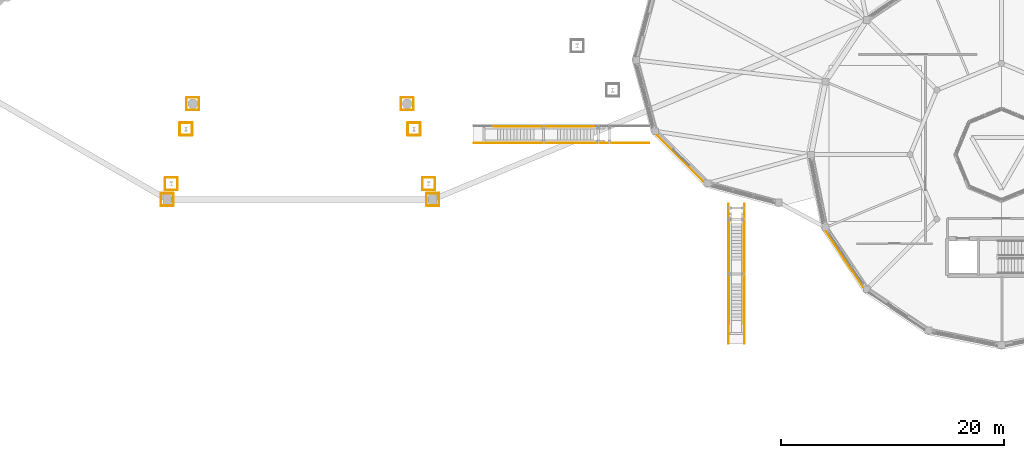
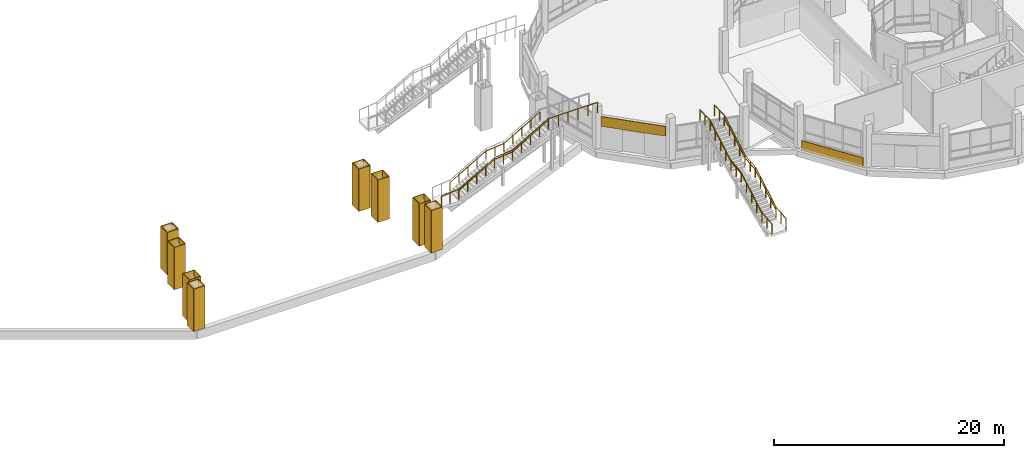
# One storey, part 119 of 129: 34 coverings, 7 railings.
"""IFC4 building model written with IfcOpenShell, lengths in metres."""

from ifc_helpers import new_model, si_unit, direction, frame, frame_2d, origin, origin_2d, place, context, subcontext, project, spatial, rectangle, circle, extrude, material, layer, layer_set, type_object, element, save


model = new_model("IFC4")

# Units and contexts
model_context = context("Model", 3, precision=1e-05, world=origin(), true_north=direction((0.0, 1.0)))
body_context = subcontext(model_context, "Body", "Model", "MODEL_VIEW")
ifc_project = project(units=[si_unit("LENGTHUNIT", "METRE"), si_unit("AREAUNIT", "SQUARE_METRE"), si_unit("VOLUMEUNIT", "CUBIC_METRE"), si_unit("PLANEANGLEUNIT", "RADIAN"), si_unit("MASSUNIT", "GRAM", prefix="KILO")], contexts=[model_context])

# Site, building, storey
site_placement = place(None, origin())
site = spatial("IfcSite", under=ifc_project, at=site_placement, CompositionType="ELEMENT")
building_placement = place(site_placement, origin())
building = spatial("IfcBuilding", under=site, at=building_placement, Name="Vespera Passage Community Centre", CompositionType="ELEMENT")
storey_placement = place(building_placement, origin())
storey = spatial("IfcBuildingStorey", under=building, at=storey_placement, Name="L00", CompositionType="ELEMENT", Elevation=0.0)

# Coverings
ifc_material_1 = material(Name="Precast concrete f'c 40 MPa", Category="concrete")
ifc_layer = layer(ifc_material_1, 0.06005859375)
ifc_layer_set = layer_set([ifc_layer], Name="Precast concrete f'c 40 MPa")
covering_type = type_object("IfcCoveringType", Name="COV-CLAD-60E", PredefinedType="CLADDING", material=ifc_layer_set)
covering_1_placement = place(storey_placement, frame((65.50830078125, 20.410888671875, 0.0), z_axis=(0.0, 0.0, 1.0), x_axis=(1.0, 0.0, 0.0)))
element("IfcCovering", 1, at=covering_1_placement, inside=storey, type_object=covering_type, Name="Pylon 17.0 O L00 White Architectural Casing 1", PredefinedType="CLADDING", context=body_context, shape_type="SweptSolid", body=[
    extrude(rectangle(XDim=1.1201171875, YDim=0.06005859375, at=frame_2d((0.56005859375, 0.0))), origin(), (0.0, 0.0, 1.0), 4.5),
])
covering_2_placement = place(storey_placement, frame((66.62841796875, 20.410888671875, 0.0), z_axis=(0.0, 0.0, 1.0), x_axis=(0.0, 1.0, 0.0)))
element("IfcCovering", 2, at=covering_2_placement, inside=storey, type_object=covering_type, Name="Pylon 17.0 O L00 White Architectural Casing 2", PredefinedType="CLADDING", context=body_context, shape_type="SweptSolid", body=[
    extrude(rectangle(XDim=1.119873046875, YDim=0.06005859375, at=frame_2d((0.56005859375, 0.0))), origin(), (0.0, 0.0, 1.0), 4.5),
])
covering_3_placement = place(storey_placement, frame((66.62841796875, 21.53076171875, 0.0), z_axis=(0.0, 0.0, 1.0), x_axis=(-1.0, 0.0, 0.0)))
element("IfcCovering", 3, at=covering_3_placement, inside=storey, type_object=covering_type, Name="Pylon 17.0 O L00 White Architectural Casing 3", PredefinedType="CLADDING", context=body_context, shape_type="SweptSolid", body=[
    extrude(rectangle(XDim=1.1201171875, YDim=0.06005859375, at=frame_2d((0.56005859375, 0.0))), origin(), (0.0, 0.0, 1.0), 4.5),
])
for number, where, z_axis, x_axis, name in (
    (4, (65.50830078125, 21.53076171875, 0.0), (0.0, 0.0, 1.0), (0.0, -1.0, 0.0), "Pylon 17.0 O L00 White Architectural Casing 4"),
    (5, (67.81201171875, 29.007568359375, 0.0), (0.0, 0.0, 1.0), (1.0, 0.0, 0.0), "Pylon 17.0 I L00 White Architectural Casing 1"),
):
    element("IfcCovering", number, at=place(storey_placement, frame(where, z_axis=z_axis, x_axis=x_axis)), inside=storey, type_object=covering_type, Name=name, PredefinedType="CLADDING", context=body_context, shape_type="SweptSolid", body=[
        extrude(rectangle(XDim=1.119873046875, YDim=0.06005859375, at=frame_2d((0.56005859375, 0.0))), origin(), (0.0, 0.0, 1.0), 4.5),
    ])
covering_4_placement = place(storey_placement, frame((68.931884765625, 29.007568359375, 0.0), z_axis=(0.0, 0.0, 1.0), x_axis=(0.0, 1.0, 0.0)))
element("IfcCovering", 6, at=covering_4_placement, inside=storey, type_object=covering_type, Name="Pylon 17.0 I L00 White Architectural Casing 2", PredefinedType="CLADDING", context=body_context, shape_type="SweptSolid", body=[
    extrude(rectangle(XDim=1.1201171875, YDim=0.06005859375, at=frame_2d((0.56005859375, 0.0))), origin(), (0.0, 0.0, 1.0), 4.5),
])
covering_5_placement = place(storey_placement, frame((68.931884765625, 30.127685546875, 0.0), z_axis=(0.0, 0.0, 1.0), x_axis=(-1.0, 0.0, 0.0)))
element("IfcCovering", 7, at=covering_5_placement, inside=storey, type_object=covering_type, Name="Pylon 17.0 I L00 White Architectural Casing 3", PredefinedType="CLADDING", context=body_context, shape_type="SweptSolid", body=[
    extrude(rectangle(XDim=1.119873046875, YDim=0.06005859375, at=frame_2d((0.56005859375, 0.0))), origin(), (0.0, 0.0, 1.0), 4.5),
])
covering_6_placement = place(storey_placement, frame((67.81201171875, 30.127685546875, 0.0), z_axis=(0.0, 0.0, 1.0), x_axis=(0.0, -1.0, 0.0)))
element("IfcCovering", 8, at=covering_6_placement, inside=storey, type_object=covering_type, Name="Pylon 17.0 I L00 White Architectural Casing 4", PredefinedType="CLADDING", context=body_context, shape_type="SweptSolid", body=[
    extrude(rectangle(XDim=1.1201171875, YDim=0.06005859375, at=frame_2d((0.56005859375, 0.0))), origin(), (0.0, 0.0, 1.0), 4.5),
])
covering_7_placement = place(storey_placement, frame((65.8837890625, 21.811279296875, 0.0), z_axis=(0.0, 0.0, 1.0), x_axis=(1.0, 0.0, 0.0)))
element("IfcCovering", 9, at=covering_7_placement, inside=storey, type_object=covering_type, Name="Pylon 17.0 TO L00 White Architectural Casing 1", PredefinedType="CLADDING", context=body_context, shape_type="SweptSolid", body=[
    extrude(rectangle(XDim=1.119873046875, YDim=0.06005859375, at=frame_2d((0.56005859375, 0.0))), origin(), (0.0, 0.0, 1.0), 4.5),
])
covering_8_placement = place(storey_placement, frame((67.003662109375, 21.811279296875, 0.0), z_axis=(0.0, 0.0, 1.0), x_axis=(0.0, 1.0, 0.0)))
element("IfcCovering", 10, at=covering_8_placement, inside=storey, type_object=covering_type, Name="Pylon 17.0 TO L00 White Architectural Casing 2", PredefinedType="CLADDING", context=body_context, shape_type="SweptSolid", body=[
    extrude(rectangle(XDim=1.1201171875, YDim=0.06005859375, at=frame_2d((0.56005859375, 0.0))), origin(), (0.0, 0.0, 1.0), 4.5),
])
covering_9_placement = place(storey_placement, frame((67.003662109375, 22.931396484375, 0.0), z_axis=(0.0, 0.0, 1.0), x_axis=(-1.0, 0.0, 0.0)))
element("IfcCovering", 11, at=covering_9_placement, inside=storey, type_object=covering_type, Name="Pylon 17.0 TO L00 White Architectural Casing 3", PredefinedType="CLADDING", context=body_context, shape_type="SweptSolid", body=[
    extrude(rectangle(XDim=1.119873046875, YDim=0.06005859375, at=frame_2d((0.56005859375, 0.0))), origin(), (0.0, 0.0, 1.0), 4.5),
])
for number, where, z_axis, x_axis, name in (
    (12, (65.8837890625, 22.931396484375, 0.0), (0.0, 0.0, 1.0), (0.0, -1.0, 0.0), "Pylon 17.0 TO L00 White Architectural Casing 4"),
    (13, (67.20361328125, 26.737548828125, 0.0), (0.0, 0.0, 1.0), (1.0, 0.0, 0.0), "Pylon 17.0 TI L00 White Architectural Casing 1"),
    (14, (68.32373046875, 26.737548828125, 0.0), (0.0, 0.0, 1.0), (0.0, 1.0, 0.0), "Pylon 17.0 TI L00 White Architectural Casing 2"),
    (15, (68.32373046875, 27.857666015625, 0.0), (0.0, 0.0, 1.0), (-1.0, 0.0, 0.0), "Pylon 17.0 TI L00 White Architectural Casing 3"),
    (16, (67.20361328125, 27.857666015625, 0.0), (0.0, 0.0, 1.0), (0.0, -1.0, 0.0), "Pylon 17.0 TI L00 White Architectural Casing 4"),
    (17, (89.37158203125, 20.410888671875, 0.0), (0.0, 0.0, 1.0), (1.0, 0.0, 0.0), "Pylon 19.0 O L00 White Architectural Casing 1"),
):
    element("IfcCovering", number, at=place(storey_placement, frame(where, z_axis=z_axis, x_axis=x_axis)), inside=storey, type_object=covering_type, Name=name, PredefinedType="CLADDING", context=body_context, shape_type="SweptSolid", body=[
        extrude(rectangle(XDim=1.1201171875, YDim=0.06005859375, at=frame_2d((0.56005859375, 0.0))), origin(), (0.0, 0.0, 1.0), 4.5),
    ])
covering_10_placement = place(storey_placement, frame((90.49169921875, 20.410888671875, 0.0), z_axis=(0.0, 0.0, 1.0), x_axis=(0.0, 1.0, 0.0)))
element("IfcCovering", 18, at=covering_10_placement, inside=storey, type_object=covering_type, Name="Pylon 19.0 O L00 White Architectural Casing 2", PredefinedType="CLADDING", context=body_context, shape_type="SweptSolid", body=[
    extrude(rectangle(XDim=1.119873046875, YDim=0.06005859375, at=frame_2d((0.56005859375, 0.0))), origin(), (0.0, 0.0, 1.0), 4.5),
])
covering_11_placement = place(storey_placement, frame((90.49169921875, 21.53076171875, 0.0), z_axis=(0.0, 0.0, 1.0), x_axis=(-1.0, 0.0, 0.0)))
element("IfcCovering", 19, at=covering_11_placement, inside=storey, type_object=covering_type, Name="Pylon 19.0 O L00 White Architectural Casing 3", PredefinedType="CLADDING", context=body_context, shape_type="SweptSolid", body=[
    extrude(rectangle(XDim=1.1201171875, YDim=0.06005859375, at=frame_2d((0.56005859375, 0.0))), origin(), (0.0, 0.0, 1.0), 4.5),
])
for number, where, z_axis, x_axis, name in (
    (20, (89.37158203125, 21.53076171875, 0.0), (0.0, 0.0, 1.0), (0.0, -1.0, 0.0), "Pylon 19.0 O L00 White Architectural Casing 4"),
    (21, (87.068115234375, 29.007568359375, 0.0), (0.0, 0.0, 1.0), (1.0, 0.0, 0.0), "Pylon 19.0 I L00 White Architectural Casing 1"),
):
    element("IfcCovering", number, at=place(storey_placement, frame(where, z_axis=z_axis, x_axis=x_axis)), inside=storey, type_object=covering_type, Name=name, PredefinedType="CLADDING", context=body_context, shape_type="SweptSolid", body=[
        extrude(rectangle(XDim=1.119873046875, YDim=0.06005859375, at=frame_2d((0.56005859375, 0.0))), origin(), (0.0, 0.0, 1.0), 4.5),
    ])
covering_12_placement = place(storey_placement, frame((88.18798828125, 29.007568359375, 0.0), z_axis=(0.0, 0.0, 1.0), x_axis=(0.0, 1.0, 0.0)))
element("IfcCovering", 22, at=covering_12_placement, inside=storey, type_object=covering_type, Name="Pylon 19.0 I L00 White Architectural Casing 2", PredefinedType="CLADDING", context=body_context, shape_type="SweptSolid", body=[
    extrude(rectangle(XDim=1.1201171875, YDim=0.06005859375, at=frame_2d((0.56005859375, 0.0))), origin(), (0.0, 0.0, 1.0), 4.5),
])
covering_13_placement = place(storey_placement, frame((88.18798828125, 30.127685546875, 0.0), z_axis=(0.0, 0.0, 1.0), x_axis=(-1.0, 0.0, 0.0)))
element("IfcCovering", 23, at=covering_13_placement, inside=storey, type_object=covering_type, Name="Pylon 19.0 I L00 White Architectural Casing 3", PredefinedType="CLADDING", context=body_context, shape_type="SweptSolid", body=[
    extrude(rectangle(XDim=1.119873046875, YDim=0.06005859375, at=frame_2d((0.56005859375, 0.0))), origin(), (0.0, 0.0, 1.0), 4.5),
])
covering_14_placement = place(storey_placement, frame((87.068115234375, 30.127685546875, 0.0), z_axis=(0.0, 0.0, 1.0), x_axis=(0.0, -1.0, 0.0)))
element("IfcCovering", 24, at=covering_14_placement, inside=storey, type_object=covering_type, Name="Pylon 19.0 I L00 White Architectural Casing 4", PredefinedType="CLADDING", context=body_context, shape_type="SweptSolid", body=[
    extrude(rectangle(XDim=1.1201171875, YDim=0.06005859375, at=frame_2d((0.56005859375, 0.0))), origin(), (0.0, 0.0, 1.0), 4.5),
])
covering_15_placement = place(storey_placement, frame((88.996337890625, 21.811279296875, 0.0), z_axis=(0.0, 0.0, 1.0), x_axis=(1.0, 0.0, 0.0)))
element("IfcCovering", 25, at=covering_15_placement, inside=storey, type_object=covering_type, Name="Pylon 19.0 TO L00 White Architectural Casing 1", PredefinedType="CLADDING", context=body_context, shape_type="SweptSolid", body=[
    extrude(rectangle(XDim=1.119873046875, YDim=0.06005859375, at=frame_2d((0.56005859375, 0.0))), origin(), (0.0, 0.0, 1.0), 4.5),
])
covering_16_placement = place(storey_placement, frame((90.1162109375, 21.811279296875, 0.0), z_axis=(0.0, 0.0, 1.0), x_axis=(0.0, 1.0, 0.0)))
element("IfcCovering", 26, at=covering_16_placement, inside=storey, type_object=covering_type, Name="Pylon 19.0 TO L00 White Architectural Casing 2", PredefinedType="CLADDING", context=body_context, shape_type="SweptSolid", body=[
    extrude(rectangle(XDim=1.1201171875, YDim=0.06005859375, at=frame_2d((0.56005859375, 0.0))), origin(), (0.0, 0.0, 1.0), 4.5),
])
covering_17_placement = place(storey_placement, frame((90.1162109375, 22.931396484375, 0.0), z_axis=(0.0, 0.0, 1.0), x_axis=(-1.0, 0.0, 0.0)))
element("IfcCovering", 27, at=covering_17_placement, inside=storey, type_object=covering_type, Name="Pylon 19.0 TO L00 White Architectural Casing 3", PredefinedType="CLADDING", context=body_context, shape_type="SweptSolid", body=[
    extrude(rectangle(XDim=1.119873046875, YDim=0.06005859375, at=frame_2d((0.56005859375, 0.0))), origin(), (0.0, 0.0, 1.0), 4.5),
])
for number, where, z_axis, x_axis, name in (
    (28, (88.996337890625, 22.931396484375, 0.0), (0.0, 0.0, 1.0), (0.0, -1.0, 0.0), "Pylon 19.0 TO L00 White Architectural Casing 4"),
    (29, (87.67626953125, 26.737548828125, 0.0), (0.0, 0.0, 1.0), (1.0, 0.0, 0.0), "Pylon 19.0 TI L00 White Architectural Casing 1"),
    (30, (88.79638671875, 26.737548828125, 0.0), (0.0, 0.0, 1.0), (0.0, 1.0, 0.0), "Pylon 19.0 TI L00 White Architectural Casing 2"),
    (31, (88.79638671875, 27.857666015625, 0.0), (0.0, 0.0, 1.0), (-1.0, 0.0, 0.0), "Pylon 19.0 TI L00 White Architectural Casing 3"),
    (32, (87.67626953125, 27.857666015625, 0.0), (0.0, 0.0, 1.0), (0.0, -1.0, 0.0), "Pylon 19.0 TI L00 White Architectural Casing 4"),
):
    element("IfcCovering", number, at=place(storey_placement, frame(where, z_axis=z_axis, x_axis=x_axis)), inside=storey, type_object=covering_type, Name=name, PredefinedType="CLADDING", context=body_context, shape_type="SweptSolid", body=[
        extrude(rectangle(XDim=1.1201171875, YDim=0.06005859375, at=frame_2d((0.56005859375, 0.0))), origin(), (0.0, 0.0, 1.0), 4.5),
    ])
covering_18_placement = place(storey_placement, frame((128.58056640625, 13.09326171875, -0.260009765625), z_axis=(0.0, 0.0, 1.0), x_axis=(-0.555573083966, 0.831467707354, 0.0)))
element("IfcCovering", 33, at=covering_18_placement, inside=storey, type_object=covering_type, Name="V3 L00 White Spandrel Band 10", PredefinedType="CLADDING", context=body_context, shape_type="SweptSolid", body=[
    extrude(rectangle(XDim=6.00048828125, YDim=0.06005859375, at=frame_2d((3.000244140625, 0.0))), origin(), (0.0, 0.0, 1.0), 1.06005859375),
])
covering_19_placement = place(storey_placement, frame((114.197509765625, 22.576904296875, 2.39990234375), z_axis=(0.0, 0.0, 1.0), x_axis=(-0.707106781187, 0.707106781187, 0.0)))
element("IfcCovering", 34, at=covering_19_placement, inside=storey, type_object=covering_type, Name="V3A Cafe Portal White Fascia 8", PredefinedType="CLADDING", context=body_context, shape_type="SweptSolid", body=[
    extrude(rectangle(XDim=5.827392578125, YDim=0.06005859375, at=frame_2d((2.91357421875, 0.0))), origin(), (0.0, 0.0, 1.0), 1.03515625),
])

# Railings
ifc_material_2 = material(Name="Steel ASTM A500 Grade C", Category="steel")
railing_type_1 = type_object("IfcRailingType", Name="RL-HAND-900I", PredefinedType="HANDRAIL", material=ifc_material_2)
railing_1_placement = place(storey_placement, frame((95.39990234375, 27.534912109375, 0.173095703125)))
element("IfcRailing", 35, at=railing_1_placement, inside=storey, type_object=railing_type_1, Name="ST-CRT-01 L Handrail", PredefinedType="HANDRAIL", context=body_context, shape_type="SweptSolid", body=[
    extrude(circle(Radius=0.02392578125, at=origin_2d()), frame((0.0, 0.0, 0.8759765625), z_axis=(0.866193409371, 0.0, 0.499708892819), x_axis=(0.0, 1.0, 0.0)), (0.0, 0.0, 1.0), 4.15625),
    extrude(circle(Radius=0.02392578125, at=origin_2d()), frame((3.60009765625, 0.0, 2.95263671875), z_axis=(0.995408287001, 0.0, 0.095720124167), x_axis=(0.0, 1.0, 0.0)), (0.0, 0.0, 1.0), 1.808349609375),
    extrude(circle(Radius=0.02392578125, at=origin_2d()), frame((5.400146484375, 0.0, 3.1259765625), z_axis=(0.866178740119, 0.0, 0.499734319579), x_axis=(0.0, 1.0, 0.0)), (0.0, 0.0, 1.0), 4.156005859375),
    extrude(circle(Radius=0.02099609375, at=origin_2d()), origin(), (0.0, 0.0, 1.0), 0.851806640625),
    extrude(circle(Radius=0.02099609375, at=origin_2d()), frame((0.89990234375, 0.0, 0.519287109375)), (0.0, 0.0, 1.0), 0.851806640625),
    extrude(circle(Radius=0.02099609375, at=origin_2d()), frame((1.800048828125, 0.0, 1.03857421875)), (0.0, 0.0, 1.0), 0.851806640625),
    extrude(circle(Radius=0.02099609375, at=origin_2d()), frame((2.7001953125, 0.0, 1.5576171875)), (0.0, 0.0, 1.0), 0.851806640625),
    extrude(circle(Radius=0.02099609375, at=origin_2d()), frame((3.60009765625, 0.0, 2.076904296875)), (0.0, 0.0, 1.0), 0.851806640625),
    extrude(circle(Radius=0.02099609375, at=origin_2d()), frame((4.5, 0.0, 2.16357421875)), (0.0, 0.0, 1.0), 0.851806640625),
    extrude(circle(Radius=0.02099609375, at=origin_2d()), frame((5.400146484375, 0.0, 2.25)), (0.0, 0.0, 1.0), 0.851806640625),
    extrude(circle(Radius=0.02099609375, at=origin_2d()), frame((6.300048828125, 0.0, 2.769287109375)), (0.0, 0.0, 1.0), 0.851806640625),
    extrude(circle(Radius=0.02099609375, at=origin_2d()), frame((7.2001953125, 0.0, 3.28857421875)), (0.0, 0.0, 1.0), 0.851806640625),
    extrude(circle(Radius=0.02099609375, at=origin_2d()), frame((8.10009765625, 0.0, 3.8076171875)), (0.0, 0.0, 1.0), 0.851806640625),
    extrude(circle(Radius=0.02099609375, at=origin_2d()), frame((9.0, 0.0, 4.326904296875)), (0.0, 0.0, 1.0), 0.851806640625),
])
railing_2_placement = place(storey_placement, frame((95.39990234375, 26.06494140625, 0.173095703125)))
element("IfcRailing", 36, at=railing_2_placement, inside=storey, type_object=railing_type_1, Name="ST-CRT-01 R Handrail", PredefinedType="HANDRAIL", context=body_context, shape_type="SweptSolid", body=[
    extrude(circle(Radius=0.02392578125, at=origin_2d()), frame((0.0, 0.0, 0.8759765625), z_axis=(0.866193409371, 0.0, 0.499708892819), x_axis=(0.0, 1.0, 0.0)), (0.0, 0.0, 1.0), 4.15625),
    extrude(circle(Radius=0.02392578125, at=origin_2d()), frame((3.60009765625, 0.0, 2.95263671875), z_axis=(0.995408287001, 0.0, 0.095720124167), x_axis=(0.0, 1.0, 0.0)), (0.0, 0.0, 1.0), 1.808349609375),
    extrude(circle(Radius=0.02392578125, at=origin_2d()), frame((5.400146484375, 0.0, 3.1259765625), z_axis=(0.866178740119, 0.0, 0.499734319579), x_axis=(0.0, 1.0, 0.0)), (0.0, 0.0, 1.0), 4.156005859375),
    extrude(circle(Radius=0.02099609375, at=origin_2d()), origin(), (0.0, 0.0, 1.0), 0.851806640625),
    extrude(circle(Radius=0.02099609375, at=origin_2d()), frame((0.89990234375, 0.0, 0.519287109375)), (0.0, 0.0, 1.0), 0.851806640625),
    extrude(circle(Radius=0.02099609375, at=origin_2d()), frame((1.800048828125, 0.0, 1.03857421875)), (0.0, 0.0, 1.0), 0.851806640625),
    extrude(circle(Radius=0.02099609375, at=origin_2d()), frame((2.7001953125, 0.0, 1.5576171875)), (0.0, 0.0, 1.0), 0.851806640625),
    extrude(circle(Radius=0.02099609375, at=origin_2d()), frame((3.60009765625, 0.0, 2.076904296875)), (0.0, 0.0, 1.0), 0.851806640625),
    extrude(circle(Radius=0.02099609375, at=origin_2d()), frame((4.5, 0.0, 2.16357421875)), (0.0, 0.0, 1.0), 0.851806640625),
    extrude(circle(Radius=0.02099609375, at=origin_2d()), frame((5.400146484375, 0.0, 2.25)), (0.0, 0.0, 1.0), 0.851806640625),
    extrude(circle(Radius=0.02099609375, at=origin_2d()), frame((6.300048828125, 0.0, 2.769287109375)), (0.0, 0.0, 1.0), 0.851806640625),
    extrude(circle(Radius=0.02099609375, at=origin_2d()), frame((7.2001953125, 0.0, 3.28857421875)), (0.0, 0.0, 1.0), 0.851806640625),
    extrude(circle(Radius=0.02099609375, at=origin_2d()), frame((8.10009765625, 0.0, 3.8076171875)), (0.0, 0.0, 1.0), 0.851806640625),
    extrude(circle(Radius=0.02099609375, at=origin_2d()), frame((9.0, 0.0, 4.326904296875)), (0.0, 0.0, 1.0), 0.851806640625),
])
railing_3_placement = place(storey_placement, frame((116.514892578125, 9.800048828125, 0.173095703125)))
element("IfcRailing", 37, at=railing_3_placement, inside=storey, type_object=railing_type_1, Name="ST-CRT-05 L Handrail", PredefinedType="HANDRAIL", context=body_context, shape_type="SweptSolid", body=[
    extrude(circle(Radius=0.02392578125, at=origin_2d()), frame((0.0, 0.0, 0.8759765625), z_axis=(0.0, 0.866178740119, 0.499734319579), x_axis=(-1.0, 0.0, 0.0)), (0.0, 0.0, 1.0), 4.156005859375),
    extrude(circle(Radius=0.02392578125, at=origin_2d()), frame((0.0, 3.599853515625, 2.95263671875), z_axis=(0.0, 0.995408287001, 0.095720124167), x_axis=(-1.0, 0.0, 0.0)), (0.0, 0.0, 1.0), 1.808349609375),
    extrude(circle(Radius=0.02392578125, at=origin_2d()), frame((0.0, 5.39990234375, 3.1259765625), z_axis=(0.0, 0.866193409371, 0.499708892819), x_axis=(-1.0, 0.0, 0.0)), (0.0, 0.0, 1.0), 4.15625),
    extrude(circle(Radius=0.02099609375, at=origin_2d()), origin(), (0.0, 0.0, 1.0), 0.851806640625),
    extrude(circle(Radius=0.02099609375, at=origin_2d()), frame((0.0, 0.89990234375, 0.519287109375)), (0.0, 0.0, 1.0), 0.851806640625),
    extrude(circle(Radius=0.02099609375, at=origin_2d()), frame((0.0, 1.7998046875, 1.03857421875)), (0.0, 0.0, 1.0), 0.851806640625),
    extrude(circle(Radius=0.02099609375, at=origin_2d()), frame((0.0, 2.699951171875, 1.5576171875)), (0.0, 0.0, 1.0), 0.851806640625),
    extrude(circle(Radius=0.02099609375, at=origin_2d()), frame((0.0, 3.599853515625, 2.076904296875)), (0.0, 0.0, 1.0), 0.851806640625),
    extrude(circle(Radius=0.02099609375, at=origin_2d()), frame((0.0, 4.5, 2.16357421875)), (0.0, 0.0, 1.0), 0.851806640625),
    extrude(circle(Radius=0.02099609375, at=origin_2d()), frame((0.0, 5.39990234375, 2.25)), (0.0, 0.0, 1.0), 0.851806640625),
    extrude(circle(Radius=0.02099609375, at=origin_2d()), frame((0.0, 6.2998046875, 2.769287109375)), (0.0, 0.0, 1.0), 0.851806640625),
    extrude(circle(Radius=0.02099609375, at=origin_2d()), frame((0.0, 7.199951171875, 3.28857421875)), (0.0, 0.0, 1.0), 0.851806640625),
    extrude(circle(Radius=0.02099609375, at=origin_2d()), frame((0.0, 8.10009765625, 3.8076171875)), (0.0, 0.0, 1.0), 0.851806640625),
    extrude(circle(Radius=0.02099609375, at=origin_2d()), frame((0.0, 9.0, 4.326904296875)), (0.0, 0.0, 1.0), 0.851806640625),
])
railing_4_placement = place(storey_placement, frame((117.885009765625, 9.800048828125, 0.173095703125)))
element("IfcRailing", 38, at=railing_4_placement, inside=storey, type_object=railing_type_1, Name="ST-CRT-05 R Handrail", PredefinedType="HANDRAIL", context=body_context, shape_type="SweptSolid", body=[
    extrude(circle(Radius=0.02392578125, at=origin_2d()), frame((0.0, 0.0, 0.8759765625), z_axis=(0.0, 0.866178740119, 0.499734319579), x_axis=(-1.0, 0.0, 0.0)), (0.0, 0.0, 1.0), 4.156005859375),
    extrude(circle(Radius=0.02392578125, at=origin_2d()), frame((0.0, 3.599853515625, 2.95263671875), z_axis=(0.0, 0.995408287001, 0.095720124167), x_axis=(-1.0, 0.0, 0.0)), (0.0, 0.0, 1.0), 1.808349609375),
    extrude(circle(Radius=0.02392578125, at=origin_2d()), frame((0.0, 5.39990234375, 3.1259765625), z_axis=(0.0, 0.866193409371, 0.499708892819), x_axis=(-1.0, 0.0, 0.0)), (0.0, 0.0, 1.0), 4.15625),
    extrude(circle(Radius=0.02099609375, at=origin_2d()), origin(), (0.0, 0.0, 1.0), 0.851806640625),
    extrude(circle(Radius=0.02099609375, at=origin_2d()), frame((0.0, 0.89990234375, 0.519287109375)), (0.0, 0.0, 1.0), 0.851806640625),
    extrude(circle(Radius=0.02099609375, at=origin_2d()), frame((0.0, 1.7998046875, 1.03857421875)), (0.0, 0.0, 1.0), 0.851806640625),
    extrude(circle(Radius=0.02099609375, at=origin_2d()), frame((0.0, 2.699951171875, 1.5576171875)), (0.0, 0.0, 1.0), 0.851806640625),
    extrude(circle(Radius=0.02099609375, at=origin_2d()), frame((0.0, 3.599853515625, 2.076904296875)), (0.0, 0.0, 1.0), 0.851806640625),
    extrude(circle(Radius=0.02099609375, at=origin_2d()), frame((0.0, 4.5, 2.16357421875)), (0.0, 0.0, 1.0), 0.851806640625),
    extrude(circle(Radius=0.02099609375, at=origin_2d()), frame((0.0, 5.39990234375, 2.25)), (0.0, 0.0, 1.0), 0.851806640625),
    extrude(circle(Radius=0.02099609375, at=origin_2d()), frame((0.0, 6.2998046875, 2.769287109375)), (0.0, 0.0, 1.0), 0.851806640625),
    extrude(circle(Radius=0.02099609375, at=origin_2d()), frame((0.0, 7.199951171875, 3.28857421875)), (0.0, 0.0, 1.0), 0.851806640625),
    extrude(circle(Radius=0.02099609375, at=origin_2d()), frame((0.0, 8.10009765625, 3.8076171875)), (0.0, 0.0, 1.0), 0.851806640625),
    extrude(circle(Radius=0.02099609375, at=origin_2d()), frame((0.0, 9.0, 4.326904296875)), (0.0, 0.0, 1.0), 0.851806640625),
])
ifc_material_3 = material(Name="Steel ASTM A500 Grade C", Category="steel")
railing_type_2 = type_object("IfcRailingType", Name="RL-STAIR-1100I", PredefinedType="GUARDRAIL", material=ifc_material_3)
railing_5_placement = place(storey_placement, frame((93.64990234375, 26.02490234375, 0.0)))
element("IfcRailing", 39, at=railing_5_placement, inside=storey, type_object=railing_type_2, Name="ST-CRT-01 R Guard", PredefinedType="GUARDRAIL", context=body_context, shape_type="SweptSolid", body=[
    extrude(circle(Radius=0.02392578125, at=origin_2d()), frame((0.0, 0.0, 1.09619140625), z_axis=(0.995143828942, 0.0, 0.098431497589), x_axis=(0.0, 1.0, 0.0)), (0.0, 0.0, 1.0), 1.758544921875),
    extrude(circle(Radius=0.02392578125, at=origin_2d()), frame((1.75, 0.0, 1.26904296875), z_axis=(0.866193409371, 0.0, 0.499708892819), x_axis=(0.0, 1.0, 0.0)), (0.0, 0.0, 1.0), 4.15625),
    extrude(circle(Radius=0.02392578125, at=origin_2d()), frame((5.35009765625, 0.0, 3.34619140625), z_axis=(0.995408287001, 0.0, 0.095720124167), x_axis=(0.0, 1.0, 0.0)), (0.0, 0.0, 1.0), 1.808349609375),
    extrude(circle(Radius=0.02392578125, at=origin_2d()), frame((7.150146484375, 0.0, 3.51904296875), z_axis=(0.866178740119, 0.0, 0.499734319579), x_axis=(0.0, 1.0, 0.0)), (0.0, 0.0, 1.0), 4.156005859375),
    extrude(circle(Radius=0.02392578125, at=origin_2d()), frame((10.75, 0.0, 5.59619140625), z_axis=(1.0, 0.0, 0.0), x_axis=(0.0, 1.0, 0.0)), (0.0, 0.0, 1.0), 4.9501953125),
    extrude(circle(Radius=0.02099609375, at=origin_2d()), origin(), (0.0, 0.0, 1.0), 1.072021484375),
    extrude(circle(Radius=0.02099609375, at=origin_2d()), frame((0.875, 0.0, 0.08642578125)), (0.0, 0.0, 1.0), 1.072021484375),
    extrude(circle(Radius=0.02099609375, at=origin_2d()), frame((1.75, 0.0, 0.173095703125)), (0.0, 0.0, 1.0), 1.072021484375),
    extrude(circle(Radius=0.02099609375, at=origin_2d()), frame((2.64990234375, 0.0, 0.6923828125)), (0.0, 0.0, 1.0), 1.072021484375),
    extrude(circle(Radius=0.02099609375, at=origin_2d()), frame((3.550048828125, 0.0, 1.21142578125)), (0.0, 0.0, 1.0), 1.072021484375),
    extrude(circle(Radius=0.02099609375, at=origin_2d()), frame((4.4501953125, 0.0, 1.730712890625)), (0.0, 0.0, 1.0), 1.072021484375),
    extrude(circle(Radius=0.02099609375, at=origin_2d()), frame((5.35009765625, 0.0, 2.25)), (0.0, 0.0, 1.0), 1.072021484375),
    extrude(circle(Radius=0.02099609375, at=origin_2d()), frame((6.25, 0.0, 2.33642578125)), (0.0, 0.0, 1.0), 1.072021484375),
    extrude(circle(Radius=0.02099609375, at=origin_2d()), frame((7.150146484375, 0.0, 2.423095703125)), (0.0, 0.0, 1.0), 1.072021484375),
    extrude(circle(Radius=0.02099609375, at=origin_2d()), frame((8.050048828125, 0.0, 2.9423828125)), (0.0, 0.0, 1.0), 1.072021484375),
    extrude(circle(Radius=0.02099609375, at=origin_2d()), frame((8.9501953125, 0.0, 3.46142578125)), (0.0, 0.0, 1.0), 1.072021484375),
    extrude(circle(Radius=0.02099609375, at=origin_2d()), frame((9.85009765625, 0.0, 3.980712890625)), (0.0, 0.0, 1.0), 1.072021484375),
    extrude(circle(Radius=0.02099609375, at=origin_2d()), frame((10.75, 0.0, 4.5)), (0.0, 0.0, 1.0), 1.072021484375),
    extrude(circle(Radius=0.02099609375, at=origin_2d()), frame((11.739990234375, 0.0, 4.5)), (0.0, 0.0, 1.0), 1.072021484375),
    extrude(circle(Radius=0.02099609375, at=origin_2d()), frame((12.72998046875, 0.0, 4.5)), (0.0, 0.0, 1.0), 1.072021484375),
    extrude(circle(Radius=0.02099609375, at=origin_2d()), frame((13.72021484375, 0.0, 4.5)), (0.0, 0.0, 1.0), 1.072021484375),
    extrude(circle(Radius=0.02099609375, at=origin_2d()), frame((14.710205078125, 0.0, 4.5)), (0.0, 0.0, 1.0), 1.072021484375),
    extrude(circle(Radius=0.02099609375, at=origin_2d()), frame((15.7001953125, 0.0, 4.5)), (0.0, 0.0, 1.0), 1.072021484375),
])
railing_6_placement = place(storey_placement, frame((116.47509765625, 8.050048828125, 0.0)))
element("IfcRailing", 40, at=railing_6_placement, inside=storey, type_object=railing_type_2, Name="ST-CRT-05 L Guard", PredefinedType="GUARDRAIL", context=body_context, shape_type="SweptSolid", body=[
    extrude(circle(Radius=0.02392578125, at=origin_2d()), frame((0.0, 0.0, 1.09619140625), z_axis=(0.0, 0.995143828942, 0.098431497589), x_axis=(-1.0, 0.0, 0.0)), (0.0, 0.0, 1.0), 1.758544921875),
    extrude(circle(Radius=0.02392578125, at=origin_2d()), frame((0.0, 1.75, 1.26904296875), z_axis=(0.0, 0.866178740119, 0.499734319579), x_axis=(-1.0, 0.0, 0.0)), (0.0, 0.0, 1.0), 4.156005859375),
    extrude(circle(Radius=0.02392578125, at=origin_2d()), frame((0.0, 5.349853515625, 3.34619140625), z_axis=(0.0, 0.995408287001, 0.095720124167), x_axis=(-1.0, 0.0, 0.0)), (0.0, 0.0, 1.0), 1.808349609375),
    extrude(circle(Radius=0.02392578125, at=origin_2d()), frame((0.0, 7.14990234375, 3.51904296875), z_axis=(0.0, 0.866193409371, 0.499708892819), x_axis=(-1.0, 0.0, 0.0)), (0.0, 0.0, 1.0), 4.15625),
    extrude(circle(Radius=0.02392578125, at=origin_2d()), frame((0.0, 10.75, 5.59619140625), z_axis=(0.0, 1.0, 0.0), x_axis=(-1.0, 0.0, 0.0)), (0.0, 0.0, 1.0), 1.75),
    extrude(circle(Radius=0.02099609375, at=origin_2d()), origin(), (0.0, 0.0, 1.0), 1.072021484375),
    extrude(circle(Radius=0.02099609375, at=origin_2d()), frame((0.0, 0.875, 0.08642578125)), (0.0, 0.0, 1.0), 1.072021484375),
    extrude(circle(Radius=0.02099609375, at=origin_2d()), frame((0.0, 1.75, 0.173095703125)), (0.0, 0.0, 1.0), 1.072021484375),
    extrude(circle(Radius=0.02099609375, at=origin_2d()), frame((0.0, 2.64990234375, 0.6923828125)), (0.0, 0.0, 1.0), 1.072021484375),
    extrude(circle(Radius=0.02099609375, at=origin_2d()), frame((0.0, 3.5498046875, 1.21142578125)), (0.0, 0.0, 1.0), 1.072021484375),
    extrude(circle(Radius=0.02099609375, at=origin_2d()), frame((0.0, 4.449951171875, 1.730712890625)), (0.0, 0.0, 1.0), 1.072021484375),
    extrude(circle(Radius=0.02099609375, at=origin_2d()), frame((0.0, 5.349853515625, 2.25)), (0.0, 0.0, 1.0), 1.072021484375),
    extrude(circle(Radius=0.02099609375, at=origin_2d()), frame((0.0, 6.25, 2.33642578125)), (0.0, 0.0, 1.0), 1.072021484375),
    extrude(circle(Radius=0.02099609375, at=origin_2d()), frame((0.0, 7.14990234375, 2.423095703125)), (0.0, 0.0, 1.0), 1.072021484375),
    extrude(circle(Radius=0.02099609375, at=origin_2d()), frame((0.0, 8.0498046875, 2.9423828125)), (0.0, 0.0, 1.0), 1.072021484375),
    extrude(circle(Radius=0.02099609375, at=origin_2d()), frame((0.0, 8.949951171875, 3.46142578125)), (0.0, 0.0, 1.0), 1.072021484375),
    extrude(circle(Radius=0.02099609375, at=origin_2d()), frame((0.0, 9.85009765625, 3.980712890625)), (0.0, 0.0, 1.0), 1.072021484375),
    extrude(circle(Radius=0.02099609375, at=origin_2d()), frame((0.0, 10.75, 4.5)), (0.0, 0.0, 1.0), 1.072021484375),
    extrude(circle(Radius=0.02099609375, at=origin_2d()), frame((0.0, 11.625, 4.5)), (0.0, 0.0, 1.0), 1.072021484375),
    extrude(circle(Radius=0.02099609375, at=origin_2d()), frame((0.0, 12.5, 4.5)), (0.0, 0.0, 1.0), 1.072021484375),
])
railing_7_placement = place(storey_placement, frame((117.925048828125, 8.050048828125, 0.0)))
element("IfcRailing", 41, at=railing_7_placement, inside=storey, type_object=railing_type_2, Name="ST-CRT-05 R Guard", PredefinedType="GUARDRAIL", context=body_context, shape_type="SweptSolid", body=[
    extrude(circle(Radius=0.02392578125, at=origin_2d()), frame((0.0, 0.0, 1.09619140625), z_axis=(0.0, 0.995143828942, 0.098431497589), x_axis=(-1.0, 0.0, 0.0)), (0.0, 0.0, 1.0), 1.758544921875),
    extrude(circle(Radius=0.02392578125, at=origin_2d()), frame((0.0, 1.75, 1.26904296875), z_axis=(0.0, 0.866178740119, 0.499734319579), x_axis=(-1.0, 0.0, 0.0)), (0.0, 0.0, 1.0), 4.156005859375),
    extrude(circle(Radius=0.02392578125, at=origin_2d()), frame((0.0, 5.349853515625, 3.34619140625), z_axis=(0.0, 0.995408287001, 0.095720124167), x_axis=(-1.0, 0.0, 0.0)), (0.0, 0.0, 1.0), 1.808349609375),
    extrude(circle(Radius=0.02392578125, at=origin_2d()), frame((0.0, 7.14990234375, 3.51904296875), z_axis=(0.0, 0.866193409371, 0.499708892819), x_axis=(-1.0, 0.0, 0.0)), (0.0, 0.0, 1.0), 4.15625),
    extrude(circle(Radius=0.02392578125, at=origin_2d()), frame((0.0, 10.75, 5.59619140625), z_axis=(0.0, 1.0, 0.0), x_axis=(-1.0, 0.0, 0.0)), (0.0, 0.0, 1.0), 1.75),
    extrude(circle(Radius=0.02099609375, at=origin_2d()), origin(), (0.0, 0.0, 1.0), 1.072021484375),
    extrude(circle(Radius=0.02099609375, at=origin_2d()), frame((0.0, 0.875, 0.08642578125)), (0.0, 0.0, 1.0), 1.072021484375),
    extrude(circle(Radius=0.02099609375, at=origin_2d()), frame((0.0, 1.75, 0.173095703125)), (0.0, 0.0, 1.0), 1.072021484375),
    extrude(circle(Radius=0.02099609375, at=origin_2d()), frame((0.0, 2.64990234375, 0.6923828125)), (0.0, 0.0, 1.0), 1.072021484375),
    extrude(circle(Radius=0.02099609375, at=origin_2d()), frame((0.0, 3.5498046875, 1.21142578125)), (0.0, 0.0, 1.0), 1.072021484375),
    extrude(circle(Radius=0.02099609375, at=origin_2d()), frame((0.0, 4.449951171875, 1.730712890625)), (0.0, 0.0, 1.0), 1.072021484375),
    extrude(circle(Radius=0.02099609375, at=origin_2d()), frame((0.0, 5.349853515625, 2.25)), (0.0, 0.0, 1.0), 1.072021484375),
    extrude(circle(Radius=0.02099609375, at=origin_2d()), frame((0.0, 6.25, 2.33642578125)), (0.0, 0.0, 1.0), 1.072021484375),
    extrude(circle(Radius=0.02099609375, at=origin_2d()), frame((0.0, 7.14990234375, 2.423095703125)), (0.0, 0.0, 1.0), 1.072021484375),
    extrude(circle(Radius=0.02099609375, at=origin_2d()), frame((0.0, 8.0498046875, 2.9423828125)), (0.0, 0.0, 1.0), 1.072021484375),
    extrude(circle(Radius=0.02099609375, at=origin_2d()), frame((0.0, 8.949951171875, 3.46142578125)), (0.0, 0.0, 1.0), 1.072021484375),
    extrude(circle(Radius=0.02099609375, at=origin_2d()), frame((0.0, 9.85009765625, 3.980712890625)), (0.0, 0.0, 1.0), 1.072021484375),
    extrude(circle(Radius=0.02099609375, at=origin_2d()), frame((0.0, 10.75, 4.5)), (0.0, 0.0, 1.0), 1.072021484375),
    extrude(circle(Radius=0.02099609375, at=origin_2d()), frame((0.0, 11.625, 4.5)), (0.0, 0.0, 1.0), 1.072021484375),
    extrude(circle(Radius=0.02099609375, at=origin_2d()), frame((0.0, 12.5, 4.5)), (0.0, 0.0, 1.0), 1.072021484375),
])

save(model, "model.ifc")
